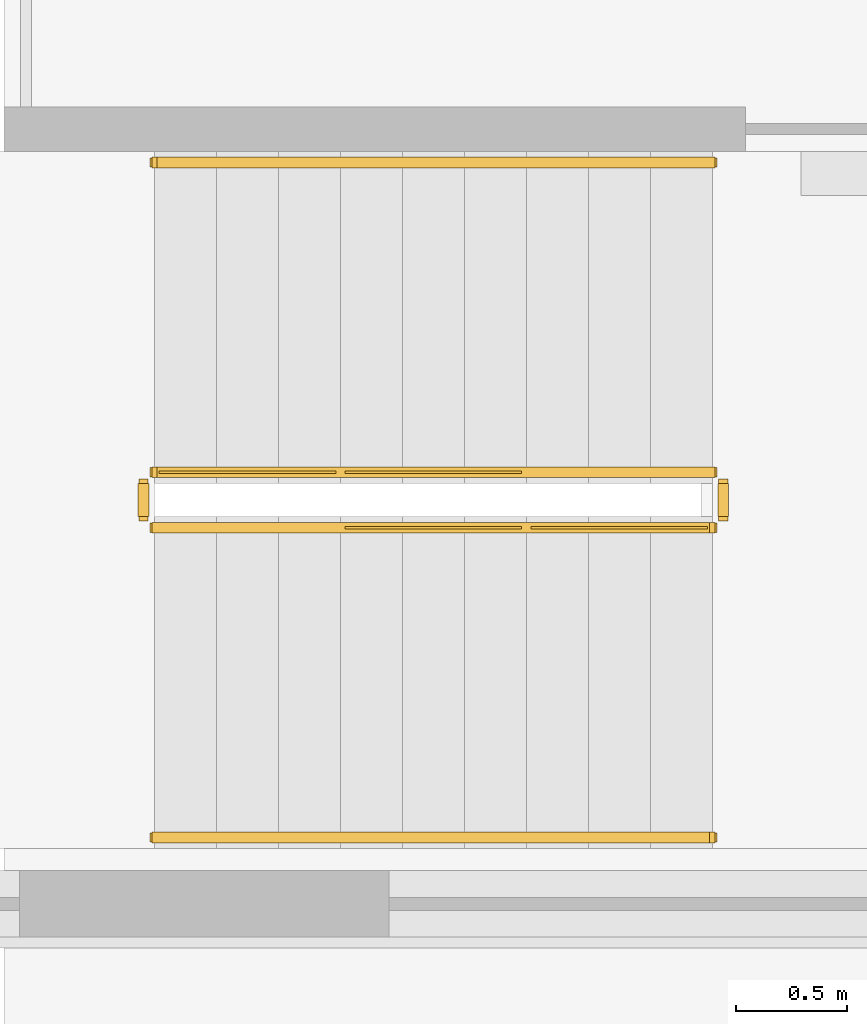
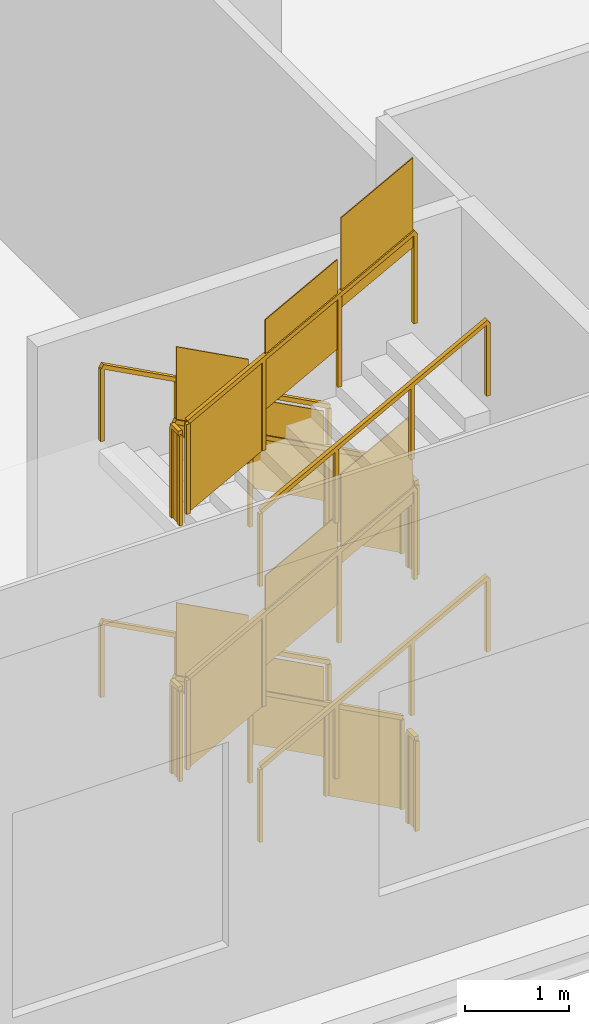
# One storey, part 24 of 31: 12 railings.
"""IFC4 building model written with IfcOpenShell, lengths in metres."""

from ifc_helpers import new_model, si_unit, direction, frame, origin, origin_2d, place, context, subcontext, project, spatial, polyline, rectangle, outline, extrude, material, type_object, element, save


model = new_model("IFC4")

# Units and contexts
model_context = context("Model", 3, precision=1e-05, world=origin(), true_north=direction((0.0, 1.0)))
body_context = subcontext(model_context, "Body", "Model", "MODEL_VIEW")
ifc_project = project(units=[si_unit("LENGTHUNIT", "METRE"), si_unit("AREAUNIT", "SQUARE_METRE"), si_unit("VOLUMEUNIT", "CUBIC_METRE"), si_unit("PLANEANGLEUNIT", "RADIAN"), si_unit("MASSUNIT", "GRAM", prefix="KILO")], contexts=[model_context])

# Site, building, storey
site_placement = place(None, origin())
site = spatial("IfcSite", under=ifc_project, at=site_placement, CompositionType="ELEMENT")
building_placement = place(site_placement, origin())
building = spatial("IfcBuilding", under=site, at=building_placement, Name="Cairn Pilgrim Tower", CompositionType="ELEMENT")
storey_placement = place(building_placement, frame((0.0, 0.0, 15.0)))
storey = spatial("IfcBuildingStorey", under=building, at=storey_placement, Name="L02", CompositionType="ELEMENT", Elevation=15.0)

# Railings
ifc_material = material(Name="Painted steel", Category="steel")
railing_type_1 = type_object("IfcRailingType", Name="PODIUM STAIR GUARD 1100", PredefinedType="GUARDRAIL", material=ifc_material)
railing_1_placement = place(storey_placement, frame((-25.60009765625, -26.25, 0.14990234375)))
element("IfcRailing", 1, at=railing_1_placement, inside=storey, type_object=railing_type_1, Name="L02 ST-HS stair guard 1", PredefinedType="GUARDRAIL", context=body_context, shape_type="SweptSolid", body=[
    extrude(rectangle(XDim=0.048095703125, YDim=0.048095703125, at=origin_2d()), frame((0.0, 0.0, 1.076171875), z_axis=(-0.881467274426, 0.0, 0.472245110209), x_axis=(0.0, -1.0, 0.0)), (0.0, 0.0, 1.0), 2.85888671875),
    extrude(rectangle(XDim=0.0419921875, YDim=0.0419921875, at=origin_2d()), origin(), (0.0, 0.0, 1.0), 1.052001953125),
    extrude(rectangle(XDim=0.0419921875, YDim=0.0419921875, at=origin_2d()), frame((-0.840087890625, 0.0, 0.449951171875)), (0.0, 0.0, 1.0), 1.052001953125),
    extrude(rectangle(XDim=0.0419921875, YDim=0.0419921875, at=origin_2d()), frame((-1.679931640625, 0.0, 0.900146484375)), (0.0, 0.0, 1.0), 1.052001953125),
    extrude(rectangle(XDim=0.0419921875, YDim=0.0419921875, at=origin_2d()), frame((-2.52001953125, 0.0, 1.35009765625)), (0.0, 0.0, 1.0), 1.052001953125),
    extrude(outline(polyline([(0.02099609375, 0.01123046875), (0.819091796875, 0.438720703125), (0.819091796875, 1.49072265625), (0.02099609375, 1.063232421875), (0.02099609375, 0.01123046875)])), frame((0.0, -0.005859375, 0.0), z_axis=(0.0, 1.0, 0.0), x_axis=(-1.0, 0.0, 0.0)), (0.0, 0.0, 1.0), 0.011962890625),
    extrude(outline(polyline([(0.02099609375, 0.461181640625), (0.819091796875, 0.888916015625), (0.819091796875, 1.94091796875), (0.02099609375, 1.51318359375), (0.02099609375, 0.461181640625)])), frame((-0.840087890625, -0.005859375, 0.449951171875), z_axis=(0.0, 1.0, 0.0), x_axis=(-1.0, 0.0, 0.0)), (0.0, 0.0, 1.0), 0.011962890625),
    extrude(outline(polyline([(0.02099609375, 0.911376953125), (0.819091796875, 1.3388671875), (0.819091796875, 2.390869140625), (0.02099609375, 1.96337890625), (0.02099609375, 0.911376953125)])), frame((-1.679931640625, -0.005859375, 0.900146484375), z_axis=(0.0, 1.0, 0.0), x_axis=(-1.0, 0.0, 0.0)), (0.0, 0.0, 1.0), 0.011962890625),
])
railing_2_placement = place(storey_placement, frame((-28.169921875, -26.300048828125, 1.5)))
element("IfcRailing", 2, at=railing_2_placement, inside=storey, type_object=railing_type_1, Name="L02 ST-HS stair guard 2", PredefinedType="GUARDRAIL", context=body_context, shape_type="SweptSolid", body=[
    extrude(rectangle(XDim=0.048095703125, YDim=0.048095703125, at=origin_2d()), frame((0.0, 0.0, 1.076171875), z_axis=(0.0, -1.0, 0.0), x_axis=(1.0, 0.0, 0.0)), (0.0, 0.0, 1.0), 0.14990234375),
    extrude(rectangle(XDim=0.0419921875, YDim=0.0419921875, at=origin_2d()), origin(), (0.0, 0.0, 1.0), 1.052001953125),
    extrude(rectangle(XDim=0.0419921875, YDim=0.0419921875, at=origin_2d()), frame((0.0, -0.14990234375, 0.0)), (0.0, 0.0, 1.0), 1.052001953125),
    extrude(outline(polyline([(0.02099609375, 0.0), (0.12890625, 0.0), (0.12890625, 1.052001953125), (0.02099609375, 1.052001953125), (0.02099609375, 0.0)])), frame((0.005859375, 0.0, 0.0), z_axis=(-1.0, 0.0, 0.0), x_axis=(0.0, -1.0, 0.0)), (0.0, 0.0, 1.0), 0.011962890625),
])
railing_3_placement = place(storey_placement, frame((-28.1201171875, -26.5, 1.64990234375)))
element("IfcRailing", 3, at=railing_3_placement, inside=storey, type_object=railing_type_1, Name="L02 ST-HS stair guard 3", PredefinedType="GUARDRAIL", context=body_context, shape_type="SweptSolid", body=[
    extrude(rectangle(XDim=0.048095703125, YDim=0.048095703125, at=origin_2d()), frame((0.0, 0.0, 1.076171875), z_axis=(0.881467274426, 0.0, 0.472245110209), x_axis=(0.0, 1.0, 0.0)), (0.0, 0.0, 1.0), 2.85888671875),
    extrude(rectangle(XDim=0.0419921875, YDim=0.0419921875, at=origin_2d()), origin(), (0.0, 0.0, 1.0), 1.052001953125),
    extrude(rectangle(XDim=0.0419921875, YDim=0.0419921875, at=origin_2d()), frame((0.840087890625, 0.0, 0.449951171875)), (0.0, 0.0, 1.0), 1.052001953125),
    extrude(rectangle(XDim=0.0419921875, YDim=0.0419921875, at=origin_2d()), frame((1.679931640625, 0.0, 0.900146484375)), (0.0, 0.0, 1.0), 1.052001953125),
    extrude(rectangle(XDim=0.0419921875, YDim=0.0419921875, at=origin_2d()), frame((2.52001953125, 0.0, 1.35009765625)), (0.0, 0.0, 1.0), 1.052001953125),
    extrude(outline(polyline([(0.02099609375, 0.01123046875), (0.819091796875, 0.438720703125), (0.819091796875, 1.49072265625), (0.02099609375, 1.063232421875), (0.02099609375, 0.01123046875)])), frame((0.0, 0.005859375, 0.0), z_axis=(0.0, -1.0, 0.0), x_axis=(1.0, 0.0, 0.0)), (0.0, 0.0, 1.0), 0.011962890625),
    extrude(outline(polyline([(0.02099609375, 0.461181640625), (0.819091796875, 0.888916015625), (0.819091796875, 1.94091796875), (0.02099609375, 1.51318359375), (0.02099609375, 0.461181640625)])), frame((0.840087890625, 0.005859375, 0.449951171875), z_axis=(0.0, -1.0, 0.0), x_axis=(1.0, 0.0, 0.0)), (0.0, 0.0, 1.0), 0.011962890625),
    extrude(outline(polyline([(0.02099609375, 0.911376953125), (0.819091796875, 1.3388671875), (0.819091796875, 2.390869140625), (0.02099609375, 1.96337890625), (0.02099609375, 0.911376953125)])), frame((1.679931640625, 0.005859375, 0.900146484375), z_axis=(0.0, -1.0, 0.0), x_axis=(1.0, 0.0, 0.0)), (0.0, 0.0, 1.0), 0.011962890625),
])
railing_4_placement = place(storey_placement, frame((-25.550048828125, -26.300048828125, 3.0)))
element("IfcRailing", 4, at=railing_4_placement, inside=storey, type_object=railing_type_1, Name="L02 ST-HS stair guard 4", PredefinedType="GUARDRAIL", context=body_context, shape_type="SweptSolid", body=[
    extrude(rectangle(XDim=0.048095703125, YDim=0.048095703125, at=origin_2d()), frame((0.0, 0.0, 1.076171875), z_axis=(0.0, -1.0, 0.0), x_axis=(1.0, 0.0, 0.0)), (0.0, 0.0, 1.0), 0.14990234375),
    extrude(rectangle(XDim=0.0419921875, YDim=0.0419921875, at=origin_2d()), origin(), (0.0, 0.0, 1.0), 1.052001953125),
    extrude(rectangle(XDim=0.0419921875, YDim=0.0419921875, at=origin_2d()), frame((0.0, -0.14990234375, 0.0)), (0.0, 0.0, 1.0), 1.052001953125),
    extrude(outline(polyline([(0.02099609375, 0.0), (0.12890625, 0.0), (0.12890625, 1.052001953125), (0.02099609375, 1.052001953125), (0.02099609375, 0.0)])), frame((0.005859375, 0.0, 0.0), z_axis=(-1.0, 0.0, 0.0), x_axis=(0.0, -1.0, 0.0)), (0.0, 0.0, 1.0), 0.011962890625),
])
railing_5_placement = place(storey_placement, frame((-25.60009765625, -26.25, 3.14990234375)))
element("IfcRailing", 5, at=railing_5_placement, inside=storey, type_object=railing_type_1, Name="L02 ST-HS stair guard 5", PredefinedType="GUARDRAIL", context=body_context, shape_type="SweptSolid", body=[
    extrude(rectangle(XDim=0.048095703125, YDim=0.048095703125, at=origin_2d()), frame((0.0, 0.0, 1.076171875), z_axis=(-0.881467274426, 0.0, 0.472245110209), x_axis=(0.0, -1.0, 0.0)), (0.0, 0.0, 1.0), 2.85888671875),
    extrude(rectangle(XDim=0.0419921875, YDim=0.0419921875, at=origin_2d()), origin(), (0.0, 0.0, 1.0), 1.052001953125),
    extrude(rectangle(XDim=0.0419921875, YDim=0.0419921875, at=origin_2d()), frame((-0.840087890625, 0.0, 0.449951171875)), (0.0, 0.0, 1.0), 1.052001953125),
    extrude(rectangle(XDim=0.0419921875, YDim=0.0419921875, at=origin_2d()), frame((-1.679931640625, 0.0, 0.900146484375)), (0.0, 0.0, 1.0), 1.052001953125),
    extrude(rectangle(XDim=0.0419921875, YDim=0.0419921875, at=origin_2d()), frame((-2.52001953125, 0.0, 1.35009765625)), (0.0, 0.0, 1.0), 1.052001953125),
    extrude(outline(polyline([(0.02099609375, 0.01123046875), (0.819091796875, 0.438720703125), (0.819091796875, 1.49072265625), (0.02099609375, 1.063232421875), (0.02099609375, 0.01123046875)])), frame((0.0, -0.005859375, 0.0), z_axis=(0.0, 1.0, 0.0), x_axis=(-1.0, 0.0, 0.0)), (0.0, 0.0, 1.0), 0.011962890625),
    extrude(outline(polyline([(0.02099609375, 0.461181640625), (0.819091796875, 0.888916015625), (0.819091796875, 1.94091796875), (0.02099609375, 1.51318359375), (0.02099609375, 0.461181640625)])), frame((-0.840087890625, -0.005859375, 0.449951171875), z_axis=(0.0, 1.0, 0.0), x_axis=(-1.0, 0.0, 0.0)), (0.0, 0.0, 1.0), 0.011962890625),
    extrude(outline(polyline([(0.02099609375, 0.911376953125), (0.819091796875, 1.3388671875), (0.819091796875, 2.390869140625), (0.02099609375, 1.96337890625), (0.02099609375, 0.911376953125)])), frame((-1.679931640625, -0.005859375, 0.900146484375), z_axis=(0.0, 1.0, 0.0), x_axis=(-1.0, 0.0, 0.0)), (0.0, 0.0, 1.0), 0.011962890625),
])
railing_6_placement = place(storey_placement, frame((-28.169921875, -26.300048828125, 4.5)))
element("IfcRailing", 6, at=railing_6_placement, inside=storey, type_object=railing_type_1, Name="L02 ST-HS stair guard 6", PredefinedType="GUARDRAIL", context=body_context, shape_type="SweptSolid", body=[
    extrude(rectangle(XDim=0.048095703125, YDim=0.048095703125, at=origin_2d()), frame((0.0, 0.0, 1.076171875), z_axis=(0.0, -1.0, 0.0), x_axis=(1.0, 0.0, 0.0)), (0.0, 0.0, 1.0), 0.14990234375),
    extrude(rectangle(XDim=0.0419921875, YDim=0.0419921875, at=origin_2d()), origin(), (0.0, 0.0, 1.0), 1.052001953125),
    extrude(rectangle(XDim=0.0419921875, YDim=0.0419921875, at=origin_2d()), frame((0.0, -0.14990234375, 0.0)), (0.0, 0.0, 1.0), 1.052001953125),
    extrude(outline(polyline([(0.02099609375, 0.0), (0.12890625, 0.0), (0.12890625, 1.052001953125), (0.02099609375, 1.052001953125), (0.02099609375, 0.0)])), frame((0.005859375, 0.0, 0.0), z_axis=(-1.0, 0.0, 0.0), x_axis=(0.0, -1.0, 0.0)), (0.0, 0.0, 1.0), 0.011962890625),
])
railing_7_placement = place(storey_placement, frame((-28.1201171875, -26.5, 4.64990234375)))
element("IfcRailing", 7, at=railing_7_placement, inside=storey, type_object=railing_type_1, Name="L02 ST-HS stair guard 7", PredefinedType="GUARDRAIL", context=body_context, shape_type="SweptSolid", body=[
    extrude(rectangle(XDim=0.048095703125, YDim=0.048095703125, at=origin_2d()), frame((0.0, 0.0, 1.076171875), z_axis=(0.881467274426, 0.0, 0.472245110209), x_axis=(0.0, 1.0, 0.0)), (0.0, 0.0, 1.0), 2.85888671875),
    extrude(rectangle(XDim=0.0419921875, YDim=0.0419921875, at=origin_2d()), origin(), (0.0, 0.0, 1.0), 1.052001953125),
    extrude(rectangle(XDim=0.0419921875, YDim=0.0419921875, at=origin_2d()), frame((0.840087890625, 0.0, 0.449951171875)), (0.0, 0.0, 1.0), 1.052001953125),
    extrude(rectangle(XDim=0.0419921875, YDim=0.0419921875, at=origin_2d()), frame((1.679931640625, 0.0, 0.900146484375)), (0.0, 0.0, 1.0), 1.052001953125),
    extrude(rectangle(XDim=0.0419921875, YDim=0.0419921875, at=origin_2d()), frame((2.52001953125, 0.0, 1.35009765625)), (0.0, 0.0, 1.0), 1.052001953125),
    extrude(outline(polyline([(0.02099609375, 0.01123046875), (0.819091796875, 0.438720703125), (0.819091796875, 1.49072265625), (0.02099609375, 1.063232421875), (0.02099609375, 0.01123046875)])), frame((0.0, 0.005859375, 0.0), z_axis=(0.0, -1.0, 0.0), x_axis=(1.0, 0.0, 0.0)), (0.0, 0.0, 1.0), 0.011962890625),
    extrude(outline(polyline([(0.02099609375, 0.461181640625), (0.819091796875, 0.888916015625), (0.819091796875, 1.94091796875), (0.02099609375, 1.51318359375), (0.02099609375, 0.461181640625)])), frame((0.840087890625, 0.005859375, 0.449951171875), z_axis=(0.0, -1.0, 0.0), x_axis=(1.0, 0.0, 0.0)), (0.0, 0.0, 1.0), 0.011962890625),
    extrude(outline(polyline([(0.02099609375, 0.911376953125), (0.819091796875, 1.3388671875), (0.819091796875, 2.390869140625), (0.02099609375, 1.96337890625), (0.02099609375, 0.911376953125)])), frame((1.679931640625, 0.005859375, 0.900146484375), z_axis=(0.0, -1.0, 0.0), x_axis=(1.0, 0.0, 0.0)), (0.0, 0.0, 1.0), 0.011962890625),
])
railing_8_placement = place(storey_placement, frame((-25.550048828125, -26.300048828125, 0.0)))
element("IfcRailing", 8, at=railing_8_placement, inside=storey, type_object=railing_type_1, Name="L02 ST-HS stair guard 8", PredefinedType="GUARDRAIL", context=body_context, shape_type="SweptSolid", body=[
    extrude(rectangle(XDim=0.048095703125, YDim=0.048095703125, at=origin_2d()), frame((0.0, 0.0, 1.076171875), z_axis=(0.0, -1.0, 0.0), x_axis=(1.0, 0.0, 0.0)), (0.0, 0.0, 1.0), 0.14990234375),
    extrude(rectangle(XDim=0.0419921875, YDim=0.0419921875, at=origin_2d()), origin(), (0.0, 0.0, 1.0), 1.052001953125),
    extrude(rectangle(XDim=0.0419921875, YDim=0.0419921875, at=origin_2d()), frame((0.0, -0.14990234375, 0.0)), (0.0, 0.0, 1.0), 1.052001953125),
    extrude(outline(polyline([(0.02099609375, 0.0), (0.12890625, 0.0), (0.12890625, 1.052001953125), (0.02099609375, 1.052001953125), (0.02099609375, 0.0)])), frame((0.005859375, 0.0, 0.0), z_axis=(-1.0, 0.0, 0.0), x_axis=(0.0, -1.0, 0.0)), (0.0, 0.0, 1.0), 0.011962890625),
])
railing_type_2 = type_object("IfcRailingType", Name="PODIUM STAIR HANDRAIL 900", PredefinedType="HANDRAIL", material=ifc_material)
railing_9_placement = place(storey_placement, frame((-25.60009765625, -24.85009765625, 0.14990234375)))
element("IfcRailing", 9, at=railing_9_placement, inside=storey, type_object=railing_type_2, Name="L02 ST-HS stair handrail 1", PredefinedType="HANDRAIL", context=body_context, shape_type="SweptSolid", body=[
    extrude(rectangle(XDim=0.048095703125, YDim=0.048095703125, at=origin_2d()), frame((0.0, 0.0, 0.8759765625), z_axis=(-0.881467274426, 0.0, 0.472245110209), x_axis=(0.0, -1.0, 0.0)), (0.0, 0.0, 1.0), 2.85888671875),
    extrude(rectangle(XDim=0.0419921875, YDim=0.0419921875, at=origin_2d()), origin(), (0.0, 0.0, 1.0), 0.851806640625),
    extrude(rectangle(XDim=0.0419921875, YDim=0.0419921875, at=origin_2d()), frame((-0.840087890625, 0.0, 0.449951171875)), (0.0, 0.0, 1.0), 0.851806640625),
    extrude(rectangle(XDim=0.0419921875, YDim=0.0419921875, at=origin_2d()), frame((-1.679931640625, 0.0, 0.900146484375)), (0.0, 0.0, 1.0), 0.851806640625),
    extrude(rectangle(XDim=0.0419921875, YDim=0.0419921875, at=origin_2d()), frame((-2.52001953125, 0.0, 1.35009765625)), (0.0, 0.0, 1.0), 0.851806640625),
])
railing_10_placement = place(storey_placement, frame((-28.1201171875, -27.89990234375, 1.64990234375)))
element("IfcRailing", 10, at=railing_10_placement, inside=storey, type_object=railing_type_2, Name="L02 ST-HS stair handrail 2", PredefinedType="HANDRAIL", context=body_context, shape_type="SweptSolid", body=[
    extrude(rectangle(XDim=0.048095703125, YDim=0.048095703125, at=origin_2d()), frame((0.0, 0.0, 0.8759765625), z_axis=(0.881467274426, 0.0, 0.472245110209), x_axis=(0.0, 1.0, 0.0)), (0.0, 0.0, 1.0), 2.85888671875),
    extrude(rectangle(XDim=0.0419921875, YDim=0.0419921875, at=origin_2d()), origin(), (0.0, 0.0, 1.0), 0.851806640625),
    extrude(rectangle(XDim=0.0419921875, YDim=0.0419921875, at=origin_2d()), frame((0.840087890625, 0.0, 0.449951171875)), (0.0, 0.0, 1.0), 0.851806640625),
    extrude(rectangle(XDim=0.0419921875, YDim=0.0419921875, at=origin_2d()), frame((1.679931640625, 0.0, 0.900146484375)), (0.0, 0.0, 1.0), 0.851806640625),
    extrude(rectangle(XDim=0.0419921875, YDim=0.0419921875, at=origin_2d()), frame((2.52001953125, 0.0, 1.35009765625)), (0.0, 0.0, 1.0), 0.851806640625),
])
railing_11_placement = place(storey_placement, frame((-25.60009765625, -24.85009765625, 3.14990234375)))
element("IfcRailing", 11, at=railing_11_placement, inside=storey, type_object=railing_type_2, Name="L02 ST-HS stair handrail 3", PredefinedType="HANDRAIL", context=body_context, shape_type="SweptSolid", body=[
    extrude(rectangle(XDim=0.048095703125, YDim=0.048095703125, at=origin_2d()), frame((0.0, 0.0, 0.8759765625), z_axis=(-0.881467274426, 0.0, 0.472245110209), x_axis=(0.0, -1.0, 0.0)), (0.0, 0.0, 1.0), 2.85888671875),
    extrude(rectangle(XDim=0.0419921875, YDim=0.0419921875, at=origin_2d()), origin(), (0.0, 0.0, 1.0), 0.851806640625),
    extrude(rectangle(XDim=0.0419921875, YDim=0.0419921875, at=origin_2d()), frame((-0.840087890625, 0.0, 0.449951171875)), (0.0, 0.0, 1.0), 0.851806640625),
    extrude(rectangle(XDim=0.0419921875, YDim=0.0419921875, at=origin_2d()), frame((-1.679931640625, 0.0, 0.900146484375)), (0.0, 0.0, 1.0), 0.851806640625),
    extrude(rectangle(XDim=0.0419921875, YDim=0.0419921875, at=origin_2d()), frame((-2.52001953125, 0.0, 1.35009765625)), (0.0, 0.0, 1.0), 0.851806640625),
])
railing_12_placement = place(storey_placement, frame((-28.1201171875, -27.89990234375, 4.64990234375)))
element("IfcRailing", 12, at=railing_12_placement, inside=storey, type_object=railing_type_2, Name="L02 ST-HS stair handrail 4", PredefinedType="HANDRAIL", context=body_context, shape_type="SweptSolid", body=[
    extrude(rectangle(XDim=0.048095703125, YDim=0.048095703125, at=origin_2d()), frame((0.0, 0.0, 0.8759765625), z_axis=(0.881467274426, 0.0, 0.472245110209), x_axis=(0.0, 1.0, 0.0)), (0.0, 0.0, 1.0), 2.85888671875),
    extrude(rectangle(XDim=0.0419921875, YDim=0.0419921875, at=origin_2d()), origin(), (0.0, 0.0, 1.0), 0.851806640625),
    extrude(rectangle(XDim=0.0419921875, YDim=0.0419921875, at=origin_2d()), frame((0.840087890625, 0.0, 0.449951171875)), (0.0, 0.0, 1.0), 0.851806640625),
    extrude(rectangle(XDim=0.0419921875, YDim=0.0419921875, at=origin_2d()), frame((1.679931640625, 0.0, 0.900146484375)), (0.0, 0.0, 1.0), 0.851806640625),
    extrude(rectangle(XDim=0.0419921875, YDim=0.0419921875, at=origin_2d()), frame((2.52001953125, 0.0, 1.35009765625)), (0.0, 0.0, 1.0), 0.851806640625),
])

save(model, "model.ifc")
